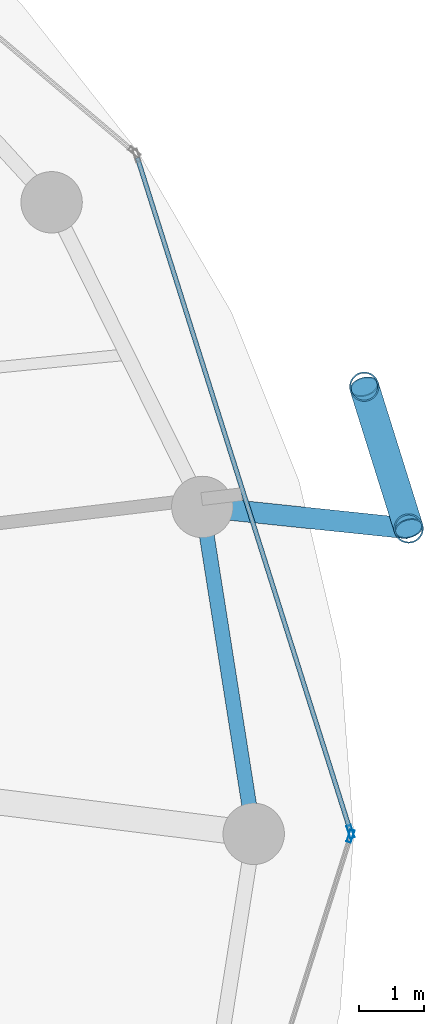
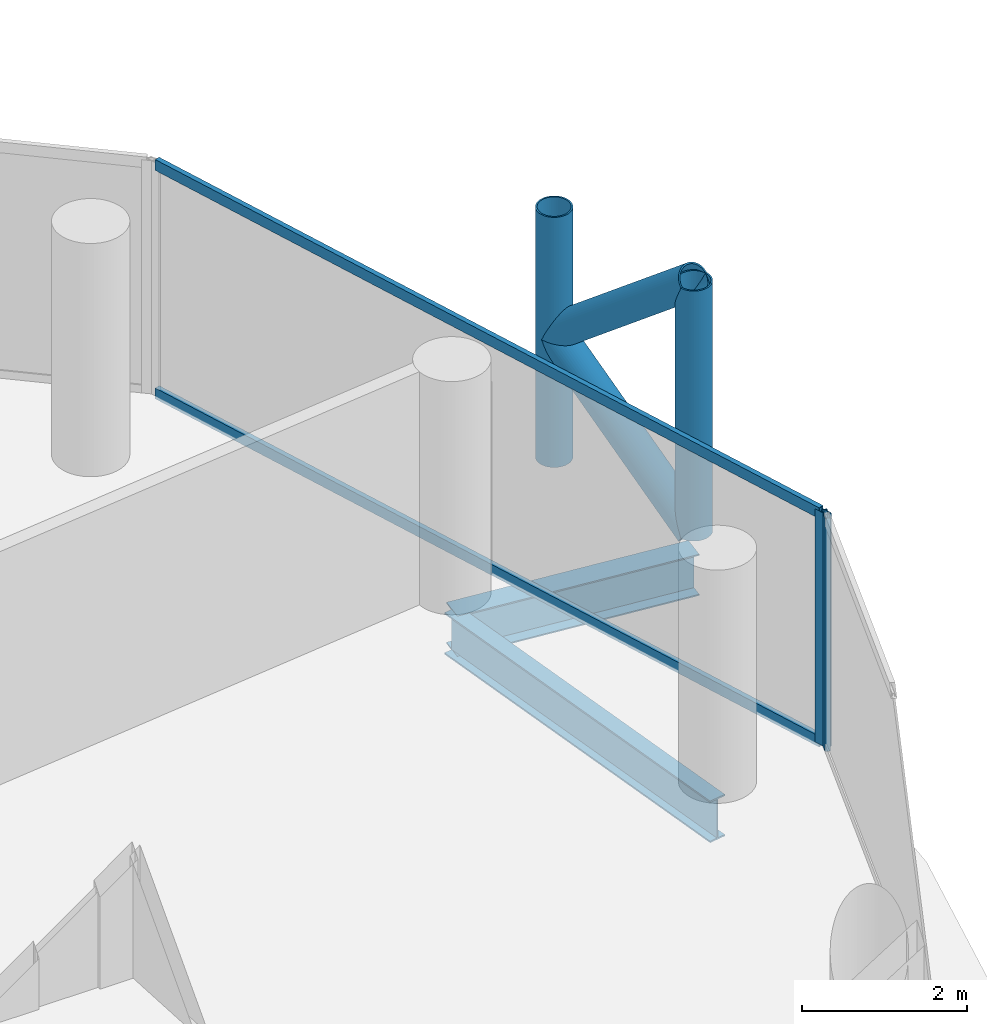
# One storey, part 12 of 26: 8 members, 2 beams, 2 elements without a shape of their own.
"""IFC4 building model written with IfcOpenShell, lengths in metres."""

from ifc_helpers import new_model, si_unit, direction, frame, origin, origin_2d, place, context, subcontext, project, spatial, hollow_rectangle, hollow_circle, i_section, extrude, material, layer, layer_set, material_profile, profile_set, type_object, element, aggregate, save


model = new_model("IFC4")

# Units and contexts
model_context = context("Model", 3, precision=1e-05, world=origin(), true_north=direction((0.0, 1.0)))
body_context = subcontext(model_context, "Body", "Model", "MODEL_VIEW")
ifc_project = project(units=[si_unit("LENGTHUNIT", "METRE"), si_unit("AREAUNIT", "SQUARE_METRE"), si_unit("VOLUMEUNIT", "CUBIC_METRE"), si_unit("PLANEANGLEUNIT", "RADIAN"), si_unit("MASSUNIT", "GRAM", prefix="KILO")], contexts=[model_context])

# Site, building, storey
site_placement = place(None, origin())
site = spatial("IfcSite", under=ifc_project, at=site_placement, CompositionType="ELEMENT")
building_placement = place(site_placement, origin())
building = spatial("IfcBuilding", under=site, at=building_placement, Name="Nuhasar Tower", CompositionType="ELEMENT")
storey_placement = place(building_placement, frame((0.0, 0.0, 125.64990234375)))
storey = spatial("IfcBuildingStorey", under=building, at=storey_placement, Name="L29", CompositionType="ELEMENT", Elevation=125.64990234375)

# Beams
ifc_material_1 = material(Name="Steel S355", Category="steel")
ifc_material_profile_1 = material_profile(ifc_material_1, i_section(OverallWidth=0.22998046875, OverallDepth=0.616943359375, WebThickness=0.01318359375, FlangeThickness=0.022216796875, at=origin_2d()), Name="W24X94")
ifc_profile_set_1 = profile_set([ifc_material_profile_1], Name="Steel S355")
beam_type_1 = type_object("IfcBeamType", Name="BM-RING-W24X94", PredefinedType="SPANDREL", material=ifc_profile_set_1)
beam_1_placement = place(storey_placement, frame((62.35009765625, 26.800048828125, -0.557861328125), z_axis=(-0.155426543608, 0.987847452566, 0.0), x_axis=(-0.987847452566, -0.155426543608, 0.0)))
element("IfcBeam", 1, at=beam_1_placement, inside=storey, type_object=beam_type_1, Name="L29 Perimeter Ring Spandrel 01", PredefinedType="SPANDREL", context=body_context, shape_type="SweptSolid", body=[
    extrude(i_section(OverallWidth=0.22998046875, OverallDepth=0.616943359375, WebThickness=0.01318359375, FlangeThickness=0.022216796875, at=origin_2d()), origin(), (0.0, 0.0, 1.0), 5.122314453125),
])
ifc_material_profile_2 = material_profile(ifc_material_1, i_section(OverallWidth=0.323974609375, OverallDepth=0.611083984375, WebThickness=0.0126953125, FlangeThickness=0.01904296875, at=origin_2d()), Name="W24X104")
ifc_profile_set_2 = profile_set([ifc_material_profile_2], Name="Steel S355")
beam_type_2 = type_object("IfcBeamType", Name="BM-TIE-W24X104", PredefinedType="BEAM", material=ifc_profile_set_2)
beam_2_placement = place(storey_placement, frame((61.553955078125, 31.860107421875, -0.554931640625), z_axis=(0.994569828715, -0.104071397654, 0.0), x_axis=(0.104071397654, 0.994569828715, 0.0)))
element("IfcBeam", 2, at=beam_2_placement, inside=storey, type_object=beam_type_2, Name="L29 Exoskeleton Node Tie Beam 01", PredefinedType="BEAM", context=body_context, shape_type="SweptSolid", body=[
    extrude(i_section(OverallWidth=0.323974609375, OverallDepth=0.611083984375, WebThickness=0.0126953125, FlangeThickness=0.01904296875, at=origin_2d()), origin(), (0.0, 0.0, 1.0), 3.21142578125),
])

# Curtain wall, member
ifc_material_2 = material(Name="Aluminium 6063-T6", Category="aluminium")
ifc_layer = layer(ifc_material_2, 0.199951171875)
ifc_layer_set = layer_set([ifc_layer], Name="Aluminium 6063-T6")
curtain_wall_type = type_object("IfcCurtainWallType", Name="CW-Z2-HTL", PredefinedType="NOTDEFINED", material=ifc_layer_set)
curtain_wall_1_placement = place(storey_placement, origin())
curtain_wall_1 = element("IfcCurtainWall", 3, at=curtain_wall_1_placement, inside=storey, type_object=curtain_wall_type, Name="L29 Unitised Curtain Wall 01", PredefinedType="NOTDEFINED")
ifc_material_profile_3 = material_profile(ifc_material_2, hollow_rectangle(XDim=0.070068359375, YDim=0.199951171875, WallThickness=0.0048828125, at=origin_2d()), Name="CWM-3")
ifc_profile_set_3 = profile_set([ifc_material_profile_3], Name="Aluminium 6063-T6")
member_type_1 = type_object("IfcMemberType", Name="CW-MUL-S3", PredefinedType="MULLION", material=ifc_profile_set_3)
member_1_placement = place(storey_placement, frame((63.849365234375, 26.833251953125, 0.0), z_axis=(0.0, 0.0, 1.0), x_axis=(-0.953433389233, -0.301603667577, 0.0)))
member_1 = element("IfcMember", 4, at=member_1_placement, type_object=member_type_1, Name="CW-Z2 mullion 1", PredefinedType="MULLION", context=body_context, shape_type="SweptSolid", body=[
    extrude(hollow_rectangle(XDim=0.070068359375, YDim=0.199951171875, WallThickness=0.0048828125, at=origin_2d()), origin(), (0.0, 0.0, 1.0), 3.4501953125),
])

curtain_wall_2_placement = place(storey_placement, origin())
curtain_wall_2 = element("IfcCurtainWall", 5, at=curtain_wall_2_placement, inside=storey, type_object=curtain_wall_type, Name="L29 Unitised Curtain Wall 12", PredefinedType="NOTDEFINED")
member_2_placement = place(storey_placement, frame((63.849365234375, 26.7666015625, 0.0), z_axis=(0.0, 0.0, 1.0), x_axis=(-0.953433389233, 0.301603667577, 0.0)))
member_2 = element("IfcMember", 6, at=member_2_placement, type_object=member_type_1, Name="CW-Z2 mullion 2", PredefinedType="MULLION", context=body_context, shape_type="SweptSolid", body=[
    extrude(hollow_rectangle(XDim=0.070068359375, YDim=0.199951171875, WallThickness=0.0048828125, at=origin_2d()), origin(), (0.0, 0.0, 1.0), 3.4501953125),
])
aggregate(curtain_wall_2, [member_2])

# Member
ifc_material_profile_4 = material_profile(ifc_material_2, hollow_rectangle(XDim=0.070068359375, YDim=0.159912109375, WallThickness=0.00439453125, at=origin_2d()), Name="CWT-3")
ifc_profile_set_4 = profile_set([ifc_material_profile_4], Name="Aluminium 6063-T6")
member_type_2 = type_object("IfcMemberType", Name="CW-TRN-S3", PredefinedType="USERDEFINED", material=ifc_profile_set_4)
member_3_placement = place(storey_placement, frame((63.8388671875, 26.86669921875, 0.03515625), z_axis=(-0.301608163352, 0.953431967053, 0.0), x_axis=(-0.953431967053, -0.301608163352, 0.0)))
member_3 = element("IfcMember", 7, at=member_3_placement, type_object=member_type_2, Name="CW-Z2 transom 1.1", ObjectType="TRANSOM", PredefinedType="USERDEFINED", context=body_context, shape_type="SweptSolid", body=[
    extrude(hollow_rectangle(XDim=0.070068359375, YDim=0.159912109375, WallThickness=0.00439453125, at=origin_2d()), origin(), (0.0, 0.0, 1.0), 10.904296875),
])

member_4_placement = place(storey_placement, frame((63.8388671875, 26.86669921875, 3.4150390625), z_axis=(-0.301608163352, 0.953431967053, 0.0), x_axis=(-0.953431967053, -0.301608163352, 0.0)))
member_4 = element("IfcMember", 8, at=member_4_placement, type_object=member_type_2, Name="CW-Z2 transom 1.2", ObjectType="TRANSOM", PredefinedType="USERDEFINED", context=body_context, shape_type="SweptSolid", body=[
    extrude(hollow_rectangle(XDim=0.070068359375, YDim=0.159912109375, WallThickness=0.00439453125, at=origin_2d()), origin(), (0.0, 0.0, 1.0), 10.904296875),
])

aggregate(curtain_wall_1, [member_1, member_3, member_4])

# Members
ifc_material_3 = material(Name="Steel S460", Category="steel")
ifc_material_profile_5 = material_profile(ifc_material_3, hollow_circle(Radius=0.228515625, WallThickness=0.022216796875, at=origin_2d()), Name="HSS457X22.2")
ifc_profile_set_5 = profile_set([ifc_material_profile_5], Name="Steel S460")
member_type_3 = type_object("IfcMemberType", Name="EXO-BRONZE-457", PredefinedType="BRACE", material=ifc_profile_set_5)
for number, where, z_axis, x_axis, name in (
    (9, (64.748046875, 31.52587890625, 0.0), (0.0, 0.0, 1.0), (1.0, 0.0, 0.0), "L29 Exoskeleton Chord Column EC-01A"),
    (10, (64.06005859375, 33.720947265625, 0.0), (0.0, 0.0, 1.0), (1.0, 0.0, 0.0), "L29 Exoskeleton Chord Column EC-01B"),
):
    element("IfcMember", number, at=place(storey_placement, frame(where, z_axis=z_axis, x_axis=x_axis)), inside=storey, type_object=member_type_3, Name=name, PredefinedType="BRACE", context=body_context, shape_type="SweptSolid", body=[
        extrude(hollow_circle(Radius=0.228515625, WallThickness=0.022216796875, at=origin_2d()), origin(), (0.0, 0.0, 1.0), 3.7001953125),
    ])
for number, where, z_axis, x_axis, name in (
    (11, (64.748046875, 31.52587890625, 0.0), (-0.233055548538, 0.743577869731, 0.626719285599), (-0.954228474306, -0.29907861646, 0.0), "L29 Bronze Diagrid Brace W1-01"),
    (12, (64.06005859375, 33.720947265625, 1.85009765625), (0.233055548538, -0.743577869731, 0.626719285599), (0.954228474306, 0.29907861646, 0.0), "L29 Bronze Diagrid Brace W2-01"),
):
    element("IfcMember", number, at=place(storey_placement, frame(where, z_axis=z_axis, x_axis=x_axis)), inside=storey, type_object=member_type_3, Name=name, PredefinedType="BRACE", context=body_context, shape_type="SweptSolid", body=[
        extrude(hollow_circle(Radius=0.228515625, WallThickness=0.022216796875, at=origin_2d()), origin(), (0.0, 0.0, 1.0), 2.9521484375),
    ])

save(model, "model.ifc")
